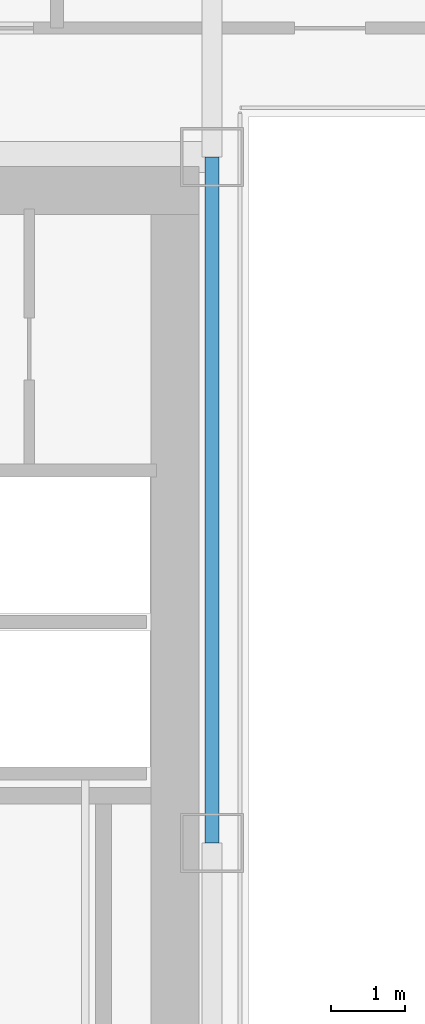
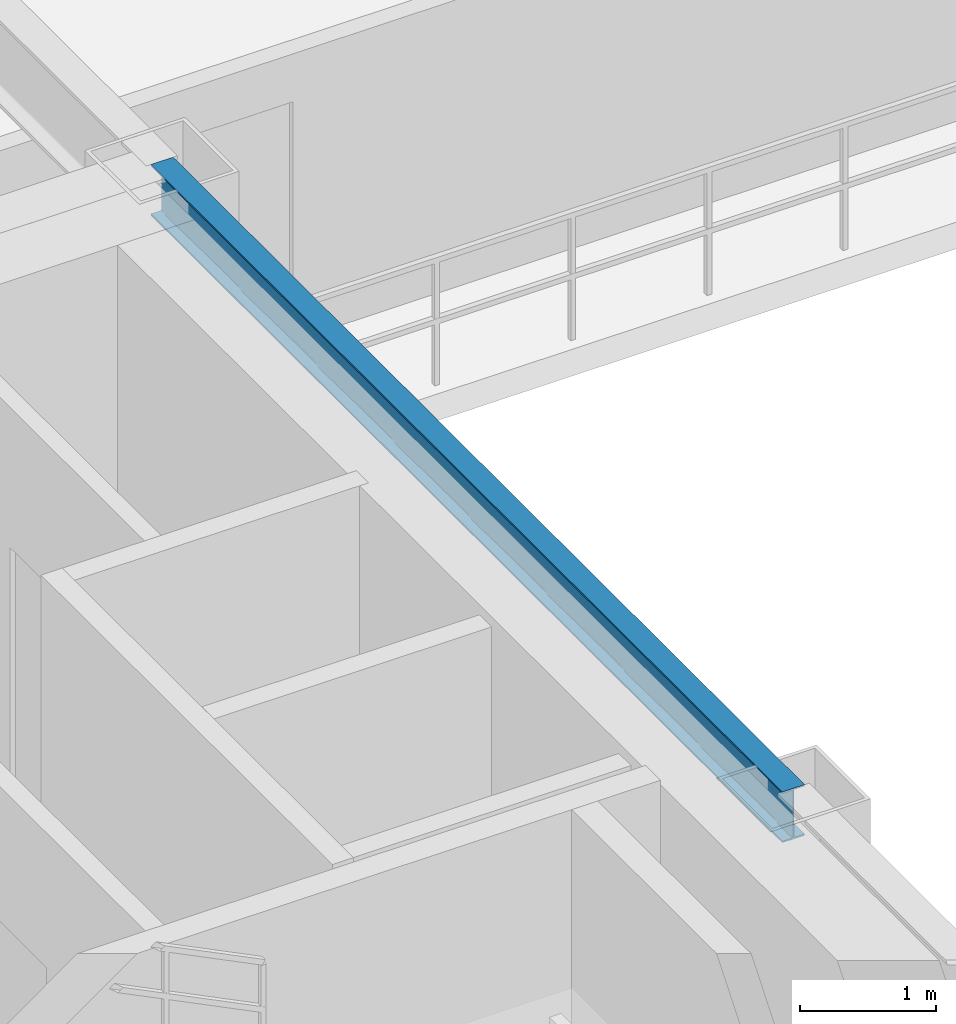
# One storey, part 9 of 34: 1 beam.
"""IFC4 building model written with IfcOpenShell, lengths in metres."""

from ifc_helpers import new_model, si_unit, direction, frame, origin, origin_2d, place, context, subcontext, project, spatial, i_section, extrude, source, transform, mapped, material, material_profile, profile_set, type_object, element, save


model = new_model("IFC4")

# Units and contexts
model_context = context("Model", 3, precision=1e-05, world=origin(), true_north=direction((0.0, 1.0)))
body_context = subcontext(model_context, "Body", "Model", "MODEL_VIEW")
ifc_project = project(units=[si_unit("LENGTHUNIT", "METRE"), si_unit("AREAUNIT", "SQUARE_METRE"), si_unit("VOLUMEUNIT", "CUBIC_METRE"), si_unit("PLANEANGLEUNIT", "RADIAN"), si_unit("MASSUNIT", "GRAM", prefix="KILO")], contexts=[model_context])

# Site, building, storey
site_placement = place(None, origin())
site = spatial("IfcSite", under=ifc_project, at=site_placement, CompositionType="ELEMENT")
building_placement = place(site_placement, origin())
building = spatial("IfcBuilding", under=site, at=building_placement, Name="Ocotamira Hotel", CompositionType="ELEMENT")
storey_placement = place(building_placement, frame((0.0, 0.0, 111.60009765625)))
storey = spatial("IfcBuildingStorey", under=building, at=storey_placement, Name="L27", CompositionType="ELEMENT", Elevation=111.60009765625)

# Beam
ifc_material = material(Name="Steel ASTM A992 Grade 50", Category="steel")
ifc_material_profile = material_profile(ifc_material, i_section(OverallWidth=0.18994140625, OverallDepth=0.45703125, WebThickness=0.009033203125, FlangeThickness=0.014404296875, FilletRadius=0.010009765625, at=origin_2d()), Name="W18X50")
ifc_profile_set = profile_set([ifc_material_profile], Name="Steel ASTM A992 Grade 50")
beam_type = type_object("IfcBeamType", Name="BM-SEC-W18X50", PredefinedType="JOIST", material=ifc_profile_set)
shared_shape = source(origin(), body_context, "Body", "SweptSolid", [
    extrude(i_section(OverallWidth=0.18994140625, OverallDepth=0.45703125, WebThickness=0.009033203125, FlangeThickness=0.014404296875, FilletRadius=0.010009765625, at=origin_2d()), origin(), (0.0, 0.0, 1.0), 9.300048828125),
])
beam_placement = place(storey_placement, frame((23.5, 28.14990234375, 3.13134765625), z_axis=(0.0, 1.0, 0.0), x_axis=(-1.0, 0.0, 0.0)))
element("IfcBeam", 1, at=beam_placement, inside=storey, type_object=beam_type, Name="L27 Beam X23.5 Y28.15-37.45", PredefinedType="JOIST", context=body_context, shape_type="MappedRepresentation", body=[
    mapped(shared_shape, transform((0.0, 0.0, 0.0), scale=1.0)),
])

save(model, "model.ifc")
